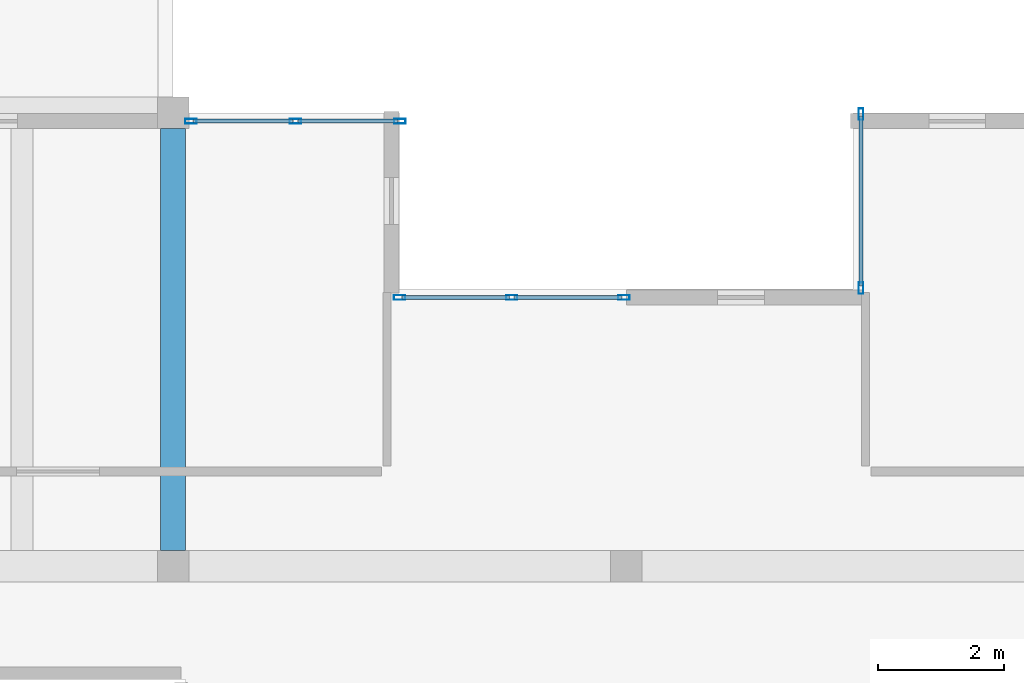
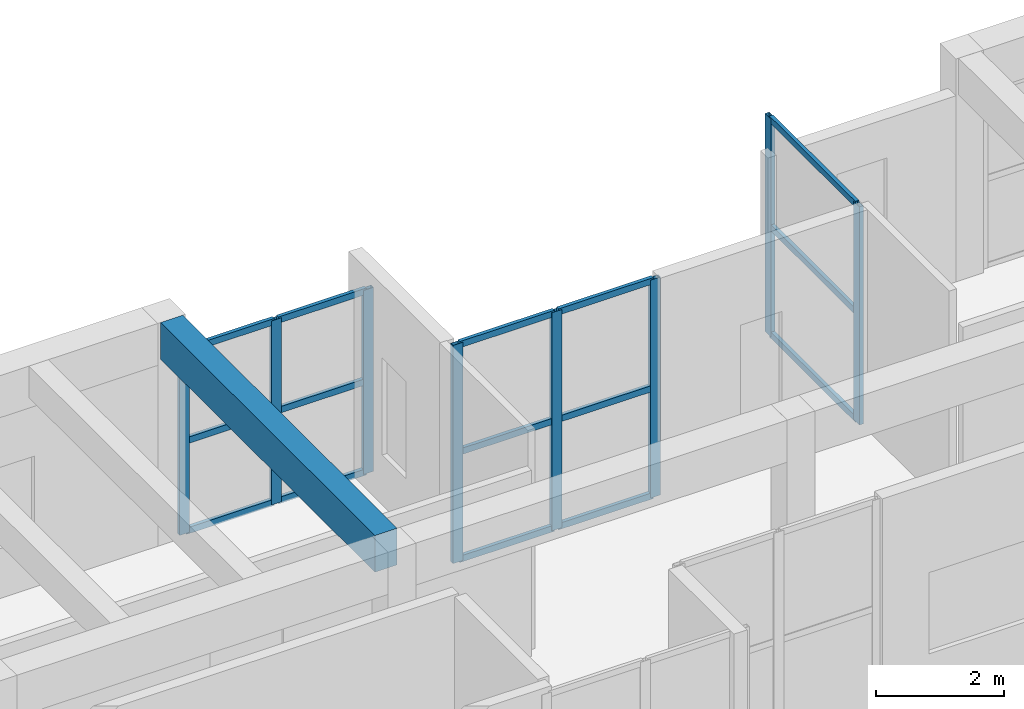
# One storey, part 31 of 153: 23 members, 1 beam, 3 elements without a shape of their own.
"""IFC4 building model written with IfcOpenShell, lengths in metres."""

from ifc_helpers import new_model, si_unit, direction, frame, origin, origin_2d, place, context, subcontext, project, spatial, rectangle, hollow_rectangle, extrude, material, material_profile, profile_set, type_object, element, aggregate, save


model = new_model("IFC4")

# Units and contexts
model_context = context("Model", 3, precision=1e-05, world=origin(), true_north=direction((0.0, 1.0)))
body_context = subcontext(model_context, "Body", "Model", "MODEL_VIEW")
ifc_project = project(units=[si_unit("LENGTHUNIT", "METRE"), si_unit("AREAUNIT", "SQUARE_METRE"), si_unit("VOLUMEUNIT", "CUBIC_METRE"), si_unit("PLANEANGLEUNIT", "RADIAN"), si_unit("MASSUNIT", "GRAM", prefix="KILO")], contexts=[model_context])

# Site, building, storey
site_placement = place(None, origin())
site = spatial("IfcSite", under=ifc_project, at=site_placement, CompositionType="ELEMENT")
building_placement = place(site_placement, origin())
building = spatial("IfcBuilding", under=site, at=building_placement, Name="Bramvelor Terrace Health Centre", CompositionType="ELEMENT")
storey_placement = place(building_placement, frame((0.0, 0.0, 4.800048828125)))
storey = spatial("IfcBuildingStorey", under=building, at=storey_placement, Name="L02", CompositionType="ELEMENT", Elevation=4.800048828125)

# Beam
ifc_material_1 = material(Name="Concrete C40/50", Category="concrete")
ifc_material_profile_1 = material_profile(ifc_material_1, rectangle(XDim=0.39990234375, YDim=0.699951171875, at=origin_2d()), Name="RC 400x700")
ifc_profile_set_1 = profile_set([ifc_material_profile_1], Name="Concrete C40/50")
beam_type = type_object("IfcBeamType", Name="BM-RC-G700", PredefinedType="BEAM", material=ifc_profile_set_1)
beam_placement = place(storey_placement, frame((64.800048828125, 7.449951171875, 3.89990234375), z_axis=(0.0, 1.0, 0.0), x_axis=(-1.0, 0.0, 0.0)))
element("IfcBeam", 1, at=beam_placement, inside=storey, type_object=beam_type, Name="L02 Floor Girder", PredefinedType="BEAM", context=body_context, shape_type="SweptSolid", body=[
    extrude(rectangle(XDim=0.39990234375, YDim=0.699951171875, at=origin_2d()), origin(), (0.0, 0.0, 1.0), 6.699951171875),
])

# Curtain wall, members
ifc_material_2 = material(Name="Anodized aluminium and double low-E glass", Category="aluminium")
curtain_wall_type_1 = type_object("IfcCurtainWallType", Name="CW-SYS-25", PredefinedType="NOTDEFINED", material=ifc_material_2)
curtain_wall_1_placement = place(storey_placement, origin())
curtain_wall_1 = element("IfcCurtainWall", 2, at=curtain_wall_1_placement, inside=storey, type_object=curtain_wall_type_1, Name="L02 Unitized Curtain Wall 149", PredefinedType="NOTDEFINED")
ifc_material_3 = material(Name="Anodized aluminium 6063-T6", Category="aluminium")
ifc_material_profile_2 = material_profile(ifc_material_3, hollow_rectangle(XDim=0.074951171875, YDim=0.179931640625, WallThickness=0.00341796875, at=origin_2d()), Name="ALU-MUL 75x180x3.5")
ifc_profile_set_2 = profile_set([ifc_material_profile_2], Name="Anodized aluminium 6063-T6")
member_type_1 = type_object("IfcMemberType", Name="CW-MUL-65x180", PredefinedType="MULLION", material=ifc_profile_set_2)
member_1_placement = place(storey_placement, frame((65.08251953125, 14.27001953125, 0.0), z_axis=(0.0, 0.0, 1.0), x_axis=(0.0, 1.0, 0.0)))
member_1 = element("IfcMember", 3, at=member_1_placement, type_object=member_type_1, Name="CW-25 mullion 1", PredefinedType="MULLION", context=body_context, shape_type="SweptSolid", body=[
    extrude(hollow_rectangle(XDim=0.074951171875, YDim=0.179931640625, WallThickness=0.00341796875, at=origin_2d()), origin(), (0.0, 0.0, 1.0), 3.510009765625),
])
member_2_placement = place(storey_placement, frame((66.742431640625, 14.27001953125, 0.0), z_axis=(0.0, 0.0, 1.0), x_axis=(0.0, 1.0, 0.0)))
member_2 = element("IfcMember", 4, at=member_2_placement, type_object=member_type_1, Name="CW-25 mullion 2", PredefinedType="MULLION", context=body_context, shape_type="SweptSolid", body=[
    extrude(hollow_rectangle(XDim=0.074951171875, YDim=0.179931640625, WallThickness=0.00341796875, at=origin_2d()), origin(), (0.0, 0.0, 1.0), 3.510009765625),
])
member_3_placement = place(storey_placement, frame((68.402587890625, 14.27001953125, 0.0), z_axis=(0.0, 0.0, 1.0), x_axis=(0.0, 1.0, 0.0)))
member_3 = element("IfcMember", 5, at=member_3_placement, type_object=member_type_1, Name="CW-25 mullion 3", PredefinedType="MULLION", context=body_context, shape_type="SweptSolid", body=[
    extrude(hollow_rectangle(XDim=0.074951171875, YDim=0.179931640625, WallThickness=0.00341796875, at=origin_2d()), origin(), (0.0, 0.0, 1.0), 3.510009765625),
])

ifc_material_4 = material(Name="Anodized aluminium and double low-E glass", Category="aluminium")
curtain_wall_type_2 = type_object("IfcCurtainWallType", Name="CW-SYS-24", PredefinedType="NOTDEFINED", material=ifc_material_4)
curtain_wall_2_placement = place(storey_placement, origin())
curtain_wall_2 = element("IfcCurtainWall", 6, at=curtain_wall_2_placement, inside=storey, type_object=curtain_wall_type_2, Name="L02 Unitized Curtain Wall 150", PredefinedType="NOTDEFINED")
member_4_placement = place(storey_placement, frame((68.3974609375, 11.469970703125, 0.0), z_axis=(0.0, 0.0, 1.0), x_axis=(0.0, 1.0, 0.0)))
member_4 = element("IfcMember", 7, at=member_4_placement, type_object=member_type_1, Name="CW-24 mullion 1", PredefinedType="MULLION", context=body_context, shape_type="SweptSolid", body=[
    extrude(hollow_rectangle(XDim=0.074951171875, YDim=0.179931640625, WallThickness=0.00341796875, at=origin_2d()), origin(), (0.0, 0.0, 1.0), 4.159912109375),
])
member_5_placement = place(storey_placement, frame((70.179931640625, 11.469970703125, 0.0), z_axis=(0.0, 0.0, 1.0), x_axis=(0.0, 1.0, 0.0)))
member_5 = element("IfcMember", 8, at=member_5_placement, type_object=member_type_1, Name="CW-24 mullion 2", PredefinedType="MULLION", context=body_context, shape_type="SweptSolid", body=[
    extrude(hollow_rectangle(XDim=0.074951171875, YDim=0.179931640625, WallThickness=0.00341796875, at=origin_2d()), origin(), (0.0, 0.0, 1.0), 4.159912109375),
])
member_6_placement = place(storey_placement, frame((71.96240234375, 11.469970703125, 0.0), z_axis=(0.0, 0.0, 1.0), x_axis=(0.0, 1.0, 0.0)))
member_6 = element("IfcMember", 9, at=member_6_placement, type_object=member_type_1, Name="CW-24 mullion 3", PredefinedType="MULLION", context=body_context, shape_type="SweptSolid", body=[
    extrude(hollow_rectangle(XDim=0.074951171875, YDim=0.179931640625, WallThickness=0.00341796875, at=origin_2d()), origin(), (0.0, 0.0, 1.0), 4.159912109375),
])

ifc_material_5 = material(Name="Anodized aluminium and double low-E glass", Category="aluminium")
curtain_wall_type_3 = type_object("IfcCurtainWallType", Name="CW-SYS-26", PredefinedType="NOTDEFINED", material=ifc_material_5)
curtain_wall_3_placement = place(storey_placement, origin())
curtain_wall_3 = element("IfcCurtainWall", 10, at=curtain_wall_3_placement, inside=storey, type_object=curtain_wall_type_3, Name="L02 Unitized Curtain Wall 151", PredefinedType="NOTDEFINED")
member_7_placement = place(storey_placement, frame((75.72998046875, 11.617431640625, 0.0), z_axis=(0.0, 0.0, 1.0), x_axis=(-1.0, 0.0, 0.0)))
member_7 = element("IfcMember", 11, at=member_7_placement, type_object=member_type_1, Name="CW-26 mullion 1", PredefinedType="MULLION", context=body_context, shape_type="SweptSolid", body=[
    extrude(hollow_rectangle(XDim=0.074951171875, YDim=0.179931640625, WallThickness=0.00341796875, at=origin_2d()), origin(), (0.0, 0.0, 1.0), 4.159912109375),
])
member_8_placement = place(storey_placement, frame((75.72998046875, 14.382568359375, 0.0), z_axis=(0.0, 0.0, 1.0), x_axis=(-1.0, 0.0, 0.0)))
member_8 = element("IfcMember", 12, at=member_8_placement, type_object=member_type_1, Name="CW-26 mullion 2", PredefinedType="MULLION", context=body_context, shape_type="SweptSolid", body=[
    extrude(hollow_rectangle(XDim=0.074951171875, YDim=0.179931640625, WallThickness=0.00341796875, at=origin_2d()), origin(), (0.0, 0.0, 1.0), 4.159912109375),
])

# Member
ifc_material_6 = material(Name="Anodized aluminium 6063-T6", Category="aluminium")
ifc_material_profile_3 = material_profile(ifc_material_6, hollow_rectangle(XDim=0.06494140625, YDim=0.1201171875, WallThickness=0.0029296875, at=origin_2d()), Name="ALU-TRN 65x120x3.0")
ifc_profile_set_3 = profile_set([ifc_material_profile_3], Name="Anodized aluminium 6063-T6")
member_type_2 = type_object("IfcMemberType", Name="CW-TRN-65x150", PredefinedType="USERDEFINED", material=ifc_profile_set_3)
member_9_placement = place(storey_placement, frame((65.1201171875, 14.27001953125, 0.032470703125), z_axis=(1.0, 0.0, 0.0), x_axis=(0.0, 1.0, 0.0)))
member_9 = element("IfcMember", 13, at=member_9_placement, type_object=member_type_2, Name="CW-25 transom 1.1", ObjectType="TRANSOM", PredefinedType="USERDEFINED", context=body_context, shape_type="SweptSolid", body=[
    extrude(hollow_rectangle(XDim=0.06494140625, YDim=0.1201171875, WallThickness=0.0029296875, at=origin_2d()), origin(), (0.0, 0.0, 1.0), 1.5849609375),
])

member_10_placement = place(storey_placement, frame((65.1201171875, 14.27001953125, 1.7548828125), z_axis=(1.0, 0.0, 0.0), x_axis=(0.0, 1.0, 0.0)))
member_10 = element("IfcMember", 14, at=member_10_placement, type_object=member_type_2, Name="CW-25 transom 1.2", ObjectType="TRANSOM", PredefinedType="USERDEFINED", context=body_context, shape_type="SweptSolid", body=[
    extrude(hollow_rectangle(XDim=0.06494140625, YDim=0.1201171875, WallThickness=0.0029296875, at=origin_2d()), origin(), (0.0, 0.0, 1.0), 1.5849609375),
])

member_11_placement = place(storey_placement, frame((65.1201171875, 14.27001953125, 3.4775390625), z_axis=(1.0, 0.0, 0.0), x_axis=(0.0, 1.0, 0.0)))
member_11 = element("IfcMember", 15, at=member_11_placement, type_object=member_type_2, Name="CW-25 transom 1.3", ObjectType="TRANSOM", PredefinedType="USERDEFINED", context=body_context, shape_type="SweptSolid", body=[
    extrude(hollow_rectangle(XDim=0.06494140625, YDim=0.1201171875, WallThickness=0.0029296875, at=origin_2d()), origin(), (0.0, 0.0, 1.0), 1.5849609375),
])

member_12_placement = place(storey_placement, frame((66.780029296875, 14.27001953125, 0.032470703125), z_axis=(1.0, 0.0, 0.0), x_axis=(0.0, 1.0, 0.0)))
member_12 = element("IfcMember", 16, at=member_12_placement, type_object=member_type_2, Name="CW-25 transom 2.1", ObjectType="TRANSOM", PredefinedType="USERDEFINED", context=body_context, shape_type="SweptSolid", body=[
    extrude(hollow_rectangle(XDim=0.06494140625, YDim=0.1201171875, WallThickness=0.0029296875, at=origin_2d()), origin(), (0.0, 0.0, 1.0), 1.5849609375),
])

member_13_placement = place(storey_placement, frame((66.780029296875, 14.27001953125, 1.7548828125), z_axis=(1.0, 0.0, 0.0), x_axis=(0.0, 1.0, 0.0)))
member_13 = element("IfcMember", 17, at=member_13_placement, type_object=member_type_2, Name="CW-25 transom 2.2", ObjectType="TRANSOM", PredefinedType="USERDEFINED", context=body_context, shape_type="SweptSolid", body=[
    extrude(hollow_rectangle(XDim=0.06494140625, YDim=0.1201171875, WallThickness=0.0029296875, at=origin_2d()), origin(), (0.0, 0.0, 1.0), 1.5849609375),
])

member_14_placement = place(storey_placement, frame((66.780029296875, 14.27001953125, 3.4775390625), z_axis=(1.0, 0.0, 0.0), x_axis=(0.0, 1.0, 0.0)))
member_14 = element("IfcMember", 18, at=member_14_placement, type_object=member_type_2, Name="CW-25 transom 2.3", ObjectType="TRANSOM", PredefinedType="USERDEFINED", context=body_context, shape_type="SweptSolid", body=[
    extrude(hollow_rectangle(XDim=0.06494140625, YDim=0.1201171875, WallThickness=0.0029296875, at=origin_2d()), origin(), (0.0, 0.0, 1.0), 1.5849609375),
])

aggregate(curtain_wall_1, [member_1, member_2, member_3, member_9, member_10, member_11, member_12, member_13, member_14])

member_15_placement = place(storey_placement, frame((68.43505859375, 11.469970703125, 0.032470703125), z_axis=(1.0, 0.0, 0.0), x_axis=(0.0, 1.0, 0.0)))
member_15 = element("IfcMember", 19, at=member_15_placement, type_object=member_type_2, Name="CW-24 transom 1.1", ObjectType="TRANSOM", PredefinedType="USERDEFINED", context=body_context, shape_type="SweptSolid", body=[
    extrude(hollow_rectangle(XDim=0.06494140625, YDim=0.1201171875, WallThickness=0.0029296875, at=origin_2d()), origin(), (0.0, 0.0, 1.0), 1.70751953125),
])

member_16_placement = place(storey_placement, frame((68.43505859375, 11.469970703125, 2.079833984375), z_axis=(1.0, 0.0, 0.0), x_axis=(0.0, 1.0, 0.0)))
member_16 = element("IfcMember", 20, at=member_16_placement, type_object=member_type_2, Name="CW-24 transom 1.2", ObjectType="TRANSOM", PredefinedType="USERDEFINED", context=body_context, shape_type="SweptSolid", body=[
    extrude(hollow_rectangle(XDim=0.06494140625, YDim=0.1201171875, WallThickness=0.0029296875, at=origin_2d()), origin(), (0.0, 0.0, 1.0), 1.70751953125),
])

member_17_placement = place(storey_placement, frame((68.43505859375, 11.469970703125, 4.12744140625), z_axis=(1.0, 0.0, 0.0), x_axis=(0.0, 1.0, 0.0)))
member_17 = element("IfcMember", 21, at=member_17_placement, type_object=member_type_2, Name="CW-24 transom 1.3", ObjectType="TRANSOM", PredefinedType="USERDEFINED", context=body_context, shape_type="SweptSolid", body=[
    extrude(hollow_rectangle(XDim=0.06494140625, YDim=0.1201171875, WallThickness=0.0029296875, at=origin_2d()), origin(), (0.0, 0.0, 1.0), 1.70751953125),
])

member_18_placement = place(storey_placement, frame((70.217529296875, 11.469970703125, 0.032470703125), z_axis=(1.0, 0.0, 0.0), x_axis=(0.0, 1.0, 0.0)))
member_18 = element("IfcMember", 22, at=member_18_placement, type_object=member_type_2, Name="CW-24 transom 2.1", ObjectType="TRANSOM", PredefinedType="USERDEFINED", context=body_context, shape_type="SweptSolid", body=[
    extrude(hollow_rectangle(XDim=0.06494140625, YDim=0.1201171875, WallThickness=0.0029296875, at=origin_2d()), origin(), (0.0, 0.0, 1.0), 1.70751953125),
])

member_19_placement = place(storey_placement, frame((70.217529296875, 11.469970703125, 2.079833984375), z_axis=(1.0, 0.0, 0.0), x_axis=(0.0, 1.0, 0.0)))
member_19 = element("IfcMember", 23, at=member_19_placement, type_object=member_type_2, Name="CW-24 transom 2.2", ObjectType="TRANSOM", PredefinedType="USERDEFINED", context=body_context, shape_type="SweptSolid", body=[
    extrude(hollow_rectangle(XDim=0.06494140625, YDim=0.1201171875, WallThickness=0.0029296875, at=origin_2d()), origin(), (0.0, 0.0, 1.0), 1.70751953125),
])

member_20_placement = place(storey_placement, frame((70.217529296875, 11.469970703125, 4.12744140625), z_axis=(1.0, 0.0, 0.0), x_axis=(0.0, 1.0, 0.0)))
member_20 = element("IfcMember", 24, at=member_20_placement, type_object=member_type_2, Name="CW-24 transom 2.3", ObjectType="TRANSOM", PredefinedType="USERDEFINED", context=body_context, shape_type="SweptSolid", body=[
    extrude(hollow_rectangle(XDim=0.06494140625, YDim=0.1201171875, WallThickness=0.0029296875, at=origin_2d()), origin(), (0.0, 0.0, 1.0), 1.70751953125),
])

aggregate(curtain_wall_2, [member_4, member_5, member_6, member_15, member_16, member_17, member_18, member_19, member_20])

member_21_placement = place(storey_placement, frame((75.72998046875, 11.655029296875, 0.032470703125), z_axis=(0.0, 1.0, 0.0), x_axis=(-1.0, 0.0, 0.0)))
member_21 = element("IfcMember", 25, at=member_21_placement, type_object=member_type_2, Name="CW-26 transom 1.1", ObjectType="TRANSOM", PredefinedType="USERDEFINED", context=body_context, shape_type="SweptSolid", body=[
    extrude(hollow_rectangle(XDim=0.06494140625, YDim=0.1201171875, WallThickness=0.0029296875, at=origin_2d()), origin(), (0.0, 0.0, 1.0), 2.68994140625),
])

member_22_placement = place(storey_placement, frame((75.72998046875, 11.655029296875, 2.079833984375), z_axis=(0.0, 1.0, 0.0), x_axis=(-1.0, 0.0, 0.0)))
member_22 = element("IfcMember", 26, at=member_22_placement, type_object=member_type_2, Name="CW-26 transom 1.2", ObjectType="TRANSOM", PredefinedType="USERDEFINED", context=body_context, shape_type="SweptSolid", body=[
    extrude(hollow_rectangle(XDim=0.06494140625, YDim=0.1201171875, WallThickness=0.0029296875, at=origin_2d()), origin(), (0.0, 0.0, 1.0), 2.68994140625),
])

member_23_placement = place(storey_placement, frame((75.72998046875, 11.655029296875, 4.12744140625), z_axis=(0.0, 1.0, 0.0), x_axis=(-1.0, 0.0, 0.0)))
member_23 = element("IfcMember", 27, at=member_23_placement, type_object=member_type_2, Name="CW-26 transom 1.3", ObjectType="TRANSOM", PredefinedType="USERDEFINED", context=body_context, shape_type="SweptSolid", body=[
    extrude(hollow_rectangle(XDim=0.06494140625, YDim=0.1201171875, WallThickness=0.0029296875, at=origin_2d()), origin(), (0.0, 0.0, 1.0), 2.68994140625),
])

aggregate(curtain_wall_3, [member_7, member_8, member_21, member_22, member_23])

save(model, "model.ifc")
